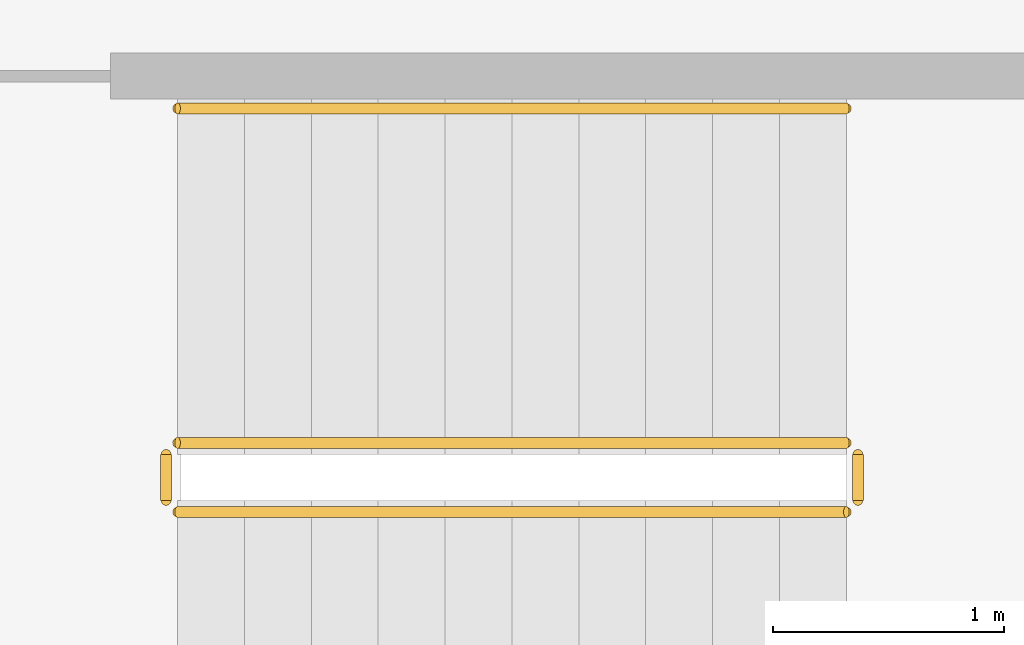
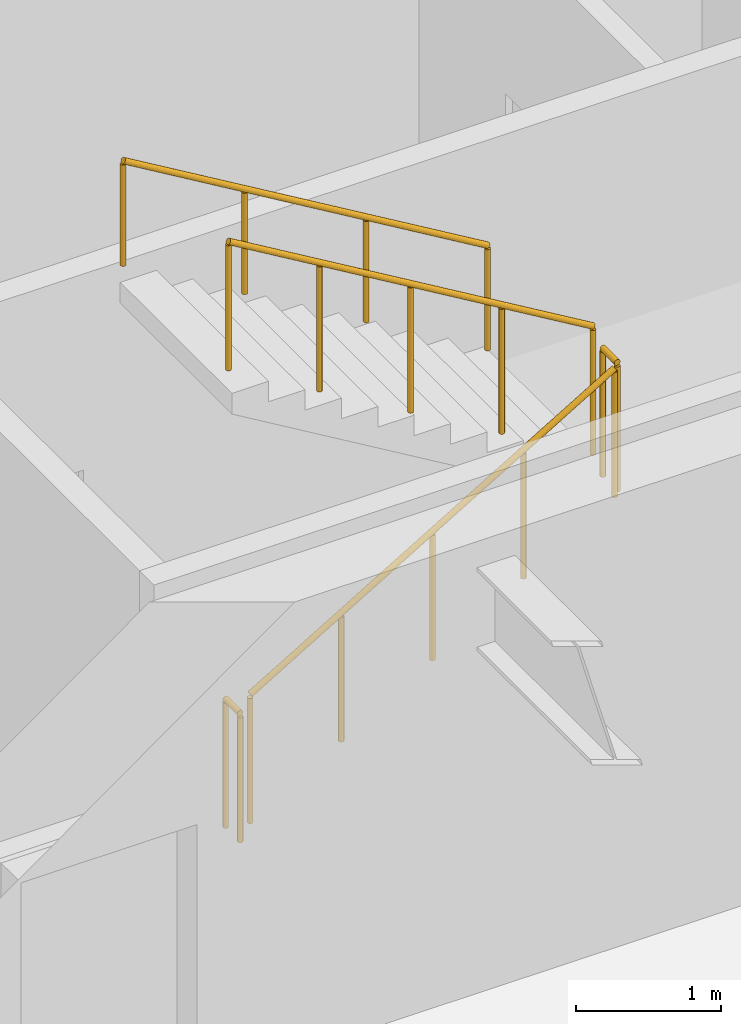
# One storey, part 23 of 24: 5 railings.
"""IFC4 building model written with IfcOpenShell, lengths in metres."""

from ifc_helpers import new_model, si_unit, direction, frame, origin, origin_2d, place, context, subcontext, project, spatial, circle, extrude, material, type_object, element, save


model = new_model("IFC4")

# Units and contexts
model_context = context("Model", 3, precision=1e-05, world=origin(), true_north=direction((0.0, 1.0)))
body_context = subcontext(model_context, "Body", "Model", "MODEL_VIEW")
ifc_project = project(units=[si_unit("LENGTHUNIT", "METRE"), si_unit("AREAUNIT", "SQUARE_METRE"), si_unit("VOLUMEUNIT", "CUBIC_METRE"), si_unit("PLANEANGLEUNIT", "RADIAN"), si_unit("MASSUNIT", "GRAM", prefix="KILO")], contexts=[model_context])

# Site, building, storey
site_placement = place(None, origin())
site = spatial("IfcSite", under=ifc_project, at=site_placement, CompositionType="ELEMENT")
building_placement = place(site_placement, origin())
building = spatial("IfcBuilding", under=site, at=building_placement, Name="Putna Gate Headquarters", CompositionType="ELEMENT")
storey_placement = place(building_placement, frame((0.0, 0.0, 244.199951171875)))
storey = spatial("IfcBuildingStorey", under=building, at=storey_placement, Name="L61", CompositionType="ELEMENT", Elevation=244.199951171875)

# Railings
ifc_material_1 = material(Name="Powder-coated steel stair guardrail", Category="steel")
railing_type_1 = type_object("IfcRailingType", Name="RAIL-STAIR-GUARD-1100", PredefinedType="GUARDRAIL", material=ifc_material_1)
railing_1_placement = place(storey_placement, frame((57.89990234375, 21.10009765625, 0.1728515625)))
element("IfcRailing", 1, at=railing_1_placement, inside=storey, type_object=railing_type_1, Name="L61 ST2 stair guard 1", PredefinedType="GUARDRAIL", context=body_context, shape_type="SweptSolid", body=[
    extrude(circle(Radius=0.02392578125, at=origin_2d()), frame((0.0, 0.0, 1.076171875), z_axis=(0.859160404282, 0.0, 0.51170636083), x_axis=(0.0, 1.0, 0.0)), (0.0, 0.0, 1.0), 3.37548828125),
    extrude(circle(Radius=0.02099609375, at=origin_2d()), origin(), (0.0, 0.0, 1.0), 1.052001953125),
    extrude(circle(Radius=0.02099609375, at=origin_2d()), frame((0.72509765625, 0.0, 0.431884765625)), (0.0, 0.0, 1.0), 1.052001953125),
    extrude(circle(Radius=0.02099609375, at=origin_2d()), frame((1.4501953125, 0.0, 0.86376953125)), (0.0, 0.0, 1.0), 1.052001953125),
    extrude(circle(Radius=0.02099609375, at=origin_2d()), frame((2.175048828125, 0.0, 1.29541015625)), (0.0, 0.0, 1.0), 1.052001953125),
    extrude(circle(Radius=0.02099609375, at=origin_2d()), frame((2.900146484375, 0.0, 1.727294921875)), (0.0, 0.0, 1.0), 1.052001953125),
])
railing_2_placement = place(storey_placement, frame((60.85009765625, 21.14990234375, 1.900146484375)))
element("IfcRailing", 2, at=railing_2_placement, inside=storey, type_object=railing_type_1, Name="L61 ST2 stair guard 2", PredefinedType="GUARDRAIL", context=body_context, shape_type="SweptSolid", body=[
    extrude(circle(Radius=0.02392578125, at=origin_2d()), frame((0.0, 0.0, 1.076171875), z_axis=(0.0, 1.0, 0.0), x_axis=(-1.0, 0.0, 0.0)), (0.0, 0.0, 1.0), 0.2001953125),
    extrude(circle(Radius=0.02099609375, at=origin_2d()), origin(), (0.0, 0.0, 1.0), 1.052001953125),
    extrude(circle(Radius=0.02099609375, at=origin_2d()), frame((0.0, 0.2001953125, 0.0)), (0.0, 0.0, 1.0), 1.052001953125),
])
railing_3_placement = place(storey_placement, frame((60.800048828125, 21.39990234375, 2.07275390625)))
element("IfcRailing", 3, at=railing_3_placement, inside=storey, type_object=railing_type_1, Name="L61 ST2 stair guard 3", PredefinedType="GUARDRAIL", context=body_context, shape_type="SweptSolid", body=[
    extrude(circle(Radius=0.02392578125, at=origin_2d()), frame((0.0, 0.0, 1.076171875), z_axis=(-0.859160404282, 0.0, 0.51170636083), x_axis=(0.0, -1.0, 0.0)), (0.0, 0.0, 1.0), 3.37548828125),
    extrude(circle(Radius=0.02099609375, at=origin_2d()), origin(), (0.0, 0.0, 1.0), 1.052001953125),
    extrude(circle(Radius=0.02099609375, at=origin_2d()), frame((-0.72509765625, 0.0, 0.431884765625)), (0.0, 0.0, 1.0), 1.052001953125),
    extrude(circle(Radius=0.02099609375, at=origin_2d()), frame((-1.4501953125, 0.0, 0.86376953125)), (0.0, 0.0, 1.0), 1.052001953125),
    extrude(circle(Radius=0.02099609375, at=origin_2d()), frame((-2.175048828125, 0.0, 1.29541015625)), (0.0, 0.0, 1.0), 1.052001953125),
    extrude(circle(Radius=0.02099609375, at=origin_2d()), frame((-2.900146484375, 0.0, 1.727294921875)), (0.0, 0.0, 1.0), 1.052001953125),
])
railing_4_placement = place(storey_placement, frame((57.85009765625, 21.14990234375, 0.0)))
element("IfcRailing", 4, at=railing_4_placement, inside=storey, type_object=railing_type_1, Name="L61 ST2 stair guard 4", PredefinedType="GUARDRAIL", context=body_context, shape_type="SweptSolid", body=[
    extrude(circle(Radius=0.02392578125, at=origin_2d()), frame((0.0, 0.0, 1.076171875), z_axis=(0.0, 1.0, 0.0), x_axis=(-1.0, 0.0, 0.0)), (0.0, 0.0, 1.0), 0.2001953125),
    extrude(circle(Radius=0.02099609375, at=origin_2d()), origin(), (0.0, 0.0, 1.0), 1.052001953125),
    extrude(circle(Radius=0.02099609375, at=origin_2d()), frame((0.0, 0.2001953125, 0.0)), (0.0, 0.0, 1.0), 1.052001953125),
])
ifc_material_2 = material(Name="Brushed stainless steel handrail", Category="steel")
railing_type_2 = type_object("IfcRailingType", Name="RAIL-STAIR-HAND-900", PredefinedType="HANDRAIL", material=ifc_material_2)
railing_5_placement = place(storey_placement, frame((60.800048828125, 22.85009765625, 2.07275390625)))
element("IfcRailing", 5, at=railing_5_placement, inside=storey, type_object=railing_type_2, Name="L61 ST2 stair handrail 2", PredefinedType="HANDRAIL", context=body_context, shape_type="SweptSolid", body=[
    extrude(circle(Radius=0.02392578125, at=origin_2d()), frame((0.0, 0.0, 0.8759765625), z_axis=(-0.859160404282, 0.0, 0.51170636083), x_axis=(0.0, -1.0, 0.0)), (0.0, 0.0, 1.0), 3.37548828125),
    extrude(circle(Radius=0.02099609375, at=origin_2d()), origin(), (0.0, 0.0, 1.0), 0.851806640625),
    extrude(circle(Radius=0.02099609375, at=origin_2d()), frame((-0.966796875, 0.0, 0.57568359375)), (0.0, 0.0, 1.0), 0.851806640625),
    extrude(circle(Radius=0.02099609375, at=origin_2d()), frame((-1.933349609375, 0.0, 1.151611328125)), (0.0, 0.0, 1.0), 0.851806640625),
    extrude(circle(Radius=0.02099609375, at=origin_2d()), frame((-2.900146484375, 0.0, 1.727294921875)), (0.0, 0.0, 1.0), 0.851806640625),
])

save(model, "model.ifc")
